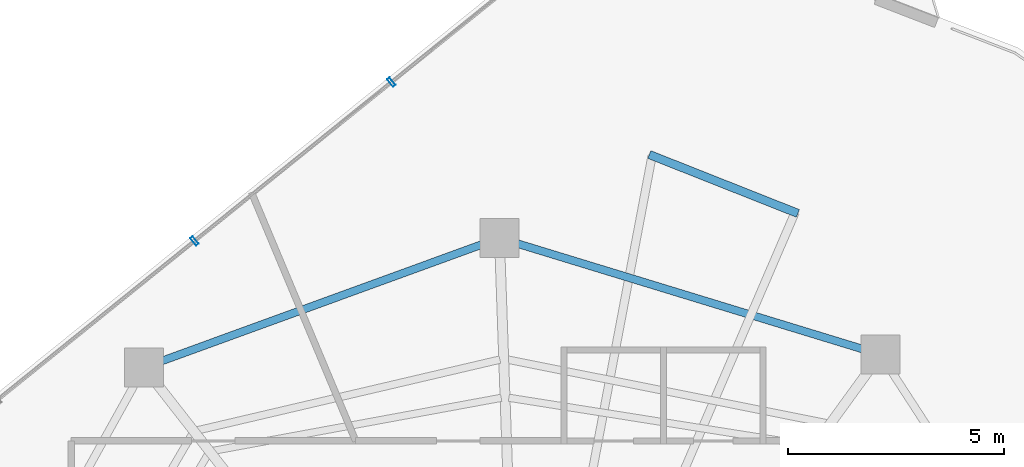
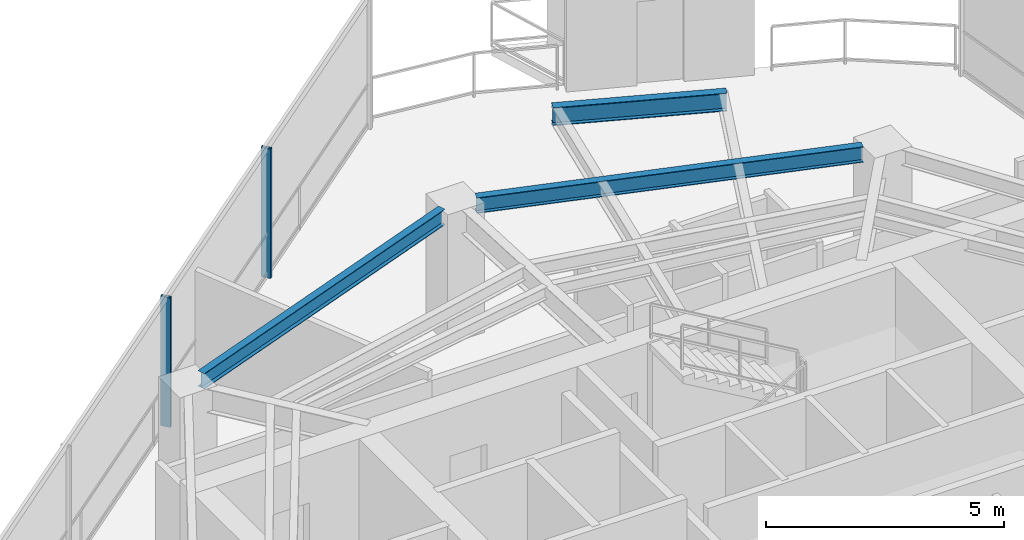
# One storey, part 13 of 19: 3 beams, 2 members, 1 element without a shape of its own.
"""IFC4 building model written with IfcOpenShell, lengths in metres."""

from ifc_helpers import new_model, si_unit, direction, frame, origin, origin_2d, place, context, subcontext, project, spatial, hollow_rectangle, i_section, extrude, material, layer, layer_set, material_profile, profile_set, type_object, element, aggregate, save


model = new_model("IFC4")

# Units and contexts
model_context = context("Model", 3, precision=1e-05, world=origin(), true_north=direction((0.0, 1.0)))
body_context = subcontext(model_context, "Body", "Model", "MODEL_VIEW")
ifc_project = project(units=[si_unit("LENGTHUNIT", "METRE"), si_unit("AREAUNIT", "SQUARE_METRE"), si_unit("VOLUMEUNIT", "CUBIC_METRE"), si_unit("PLANEANGLEUNIT", "RADIAN"), si_unit("MASSUNIT", "GRAM", prefix="KILO")], contexts=[model_context])

# Site, building, storey
site_placement = place(None, origin())
site = spatial("IfcSite", under=ifc_project, at=site_placement, CompositionType="ELEMENT")
building_placement = place(site_placement, origin())
building = spatial("IfcBuilding", under=site, at=building_placement, Name="Qarnah Convention Tower", CompositionType="ELEMENT")
storey_placement = place(building_placement, frame((0.0, 0.0, 213.0)))
storey = spatial("IfcBuildingStorey", under=building, at=storey_placement, Name="L57", CompositionType="ELEMENT", Elevation=213.0)

# Beams
ifc_material_1 = material(Name="Structural steel S355JR", Category="steel")
ifc_material_profile_1 = material_profile(ifc_material_1, i_section(OverallWidth=0.19189453125, OverallDepth=0.464111328125, WebThickness=0.010986328125, FlangeThickness=0.01806640625, at=origin_2d()), Name="W460X89")
ifc_profile_set_1 = profile_set([ifc_material_profile_1], Name="Structural steel S355JR")
beam_type_1 = type_object("IfcBeamType", Name="BM-CANT-W460A", PredefinedType="BEAM", material=ifc_profile_set_1)
beam_1_placement = place(storey_placement, frame((43.60791015625, 41.111083984375, 3.087890625), z_axis=(-0.929683207284, 0.368360060394, 0.0), x_axis=(-0.368360060394, -0.929683207284, 0.0)))
element("IfcBeam", 1, at=beam_1_placement, inside=storey, type_object=beam_type_1, Name="L57 spandrel BM-L57-CTIE-01", PredefinedType="SPANDREL", context=body_context, shape_type="SweptSolid", body=[
    extrude(i_section(OverallWidth=0.19189453125, OverallDepth=0.464111328125, WebThickness=0.010986328125, FlangeThickness=0.01806640625, at=origin_2d()), origin(), (0.0, 0.0, 1.0), 3.697021484375),
])
ifc_material_profile_2 = material_profile(ifc_material_1, i_section(OverallWidth=0.179931640625, OverallDepth=0.39990234375, WebThickness=0.009033203125, FlangeThickness=0.013916015625, at=origin_2d()), Name="IPE400")
ifc_profile_set_2 = profile_set([ifc_material_profile_2], Name="Structural steel S355JR")
beam_type_2 = type_object("IfcBeamType", Name="BM-SPN-IPE400", PredefinedType="SPANDREL", material=ifc_profile_set_2)
beam_2_placement = place(storey_placement, frame((45.095947265625, 37.97705078125, 3.1201171875), z_axis=(-0.956348614223, 0.292228212318, 0.0), x_axis=(-0.292228212318, -0.956348614223, 0.0)))
element("IfcBeam", 2, at=beam_2_placement, inside=storey, type_object=beam_type_2, Name="L57 spandrel BM-L57-SPN-02", PredefinedType="SPANDREL", context=body_context, shape_type="SweptSolid", body=[
    extrude(i_section(OverallWidth=0.179931640625, OverallDepth=0.39990234375, WebThickness=0.009033203125, FlangeThickness=0.013916015625, at=origin_2d()), origin(), (0.0, 0.0, 1.0), 8.332763671875),
])
beam_3_placement = place(storey_placement, frame((36.29296875, 40.39111328125, 3.1201171875), z_axis=(-0.939665594936, -0.342094387112, 0.0), x_axis=(0.342094387112, -0.939665594936, 0.0)))
element("IfcBeam", 3, at=beam_3_placement, inside=storey, type_object=beam_type_2, Name="L57 spandrel BM-L57-SPN-03", PredefinedType="SPANDREL", context=body_context, shape_type="SweptSolid", body=[
    extrude(i_section(OverallWidth=0.179931640625, OverallDepth=0.39990234375, WebThickness=0.009033203125, FlangeThickness=0.013916015625, at=origin_2d()), origin(), (0.0, 0.0, 1.0), 7.86669921875),
])

# Curtain wall, members
ifc_material_2 = material(Name="Tempered Low-E dark glass", Category="glass")
ifc_layer = layer(ifc_material_2, 0.174072265625)
ifc_layer_set = layer_set([ifc_layer], Name="Tempered Low-E dark glass")
curtain_wall_type = type_object("IfcCurtainWallType", Name="CWS-04", PredefinedType="NOTDEFINED", material=ifc_layer_set)
curtain_wall_placement = place(storey_placement, origin())
curtain_wall = element("IfcCurtainWall", 4, at=curtain_wall_placement, inside=storey, type_object=curtain_wall_type, Name="L57 unitised curtain wall CW-L57-F3", PredefinedType="NOTDEFINED")
ifc_material_3 = material(Name="Black anodised aluminium", Category="aluminium")
ifc_material_profile_3 = material_profile(ifc_material_3, hollow_rectangle(XDim=0.074951171875, YDim=0.219970703125, WallThickness=0.0048828125, at=origin_2d()), Name="MUL-75X220")
ifc_profile_set_3 = profile_set([ifc_material_profile_3], Name="Black anodised aluminium")
member_type = type_object("IfcMemberType", Name="MUL-T4", PredefinedType="MULLION", material=ifc_profile_set_3)
member_1_placement = place(storey_placement, frame((29.654052734375, 40.477294921875, 0.0), z_axis=(0.0, 0.0, 1.0), x_axis=(0.778476674692, 0.627673535336, 0.0)))
member_1 = element("IfcMember", 5, at=member_1_placement, type_object=member_type, Name="CW-L57-F3 mullion 4", PredefinedType="MULLION", context=body_context, shape_type="SweptSolid", body=[
    extrude(hollow_rectangle(XDim=0.074951171875, YDim=0.219970703125, WallThickness=0.0048828125, at=origin_2d()), origin(), (0.0, 0.0, 1.0), 3.320068359375),
])
member_2_placement = place(storey_placement, frame((34.205078125, 44.146484375, 0.0), z_axis=(0.0, 0.0, 1.0), x_axis=(0.778476674692, 0.627673535336, 0.0)))
member_2 = element("IfcMember", 6, at=member_2_placement, type_object=member_type, Name="CW-L57-F3 mullion 5", PredefinedType="MULLION", context=body_context, shape_type="SweptSolid", body=[
    extrude(hollow_rectangle(XDim=0.074951171875, YDim=0.219970703125, WallThickness=0.0048828125, at=origin_2d()), origin(), (0.0, 0.0, 1.0), 3.320068359375),
])
aggregate(curtain_wall, [member_1, member_2])

save(model, "model.ifc")
